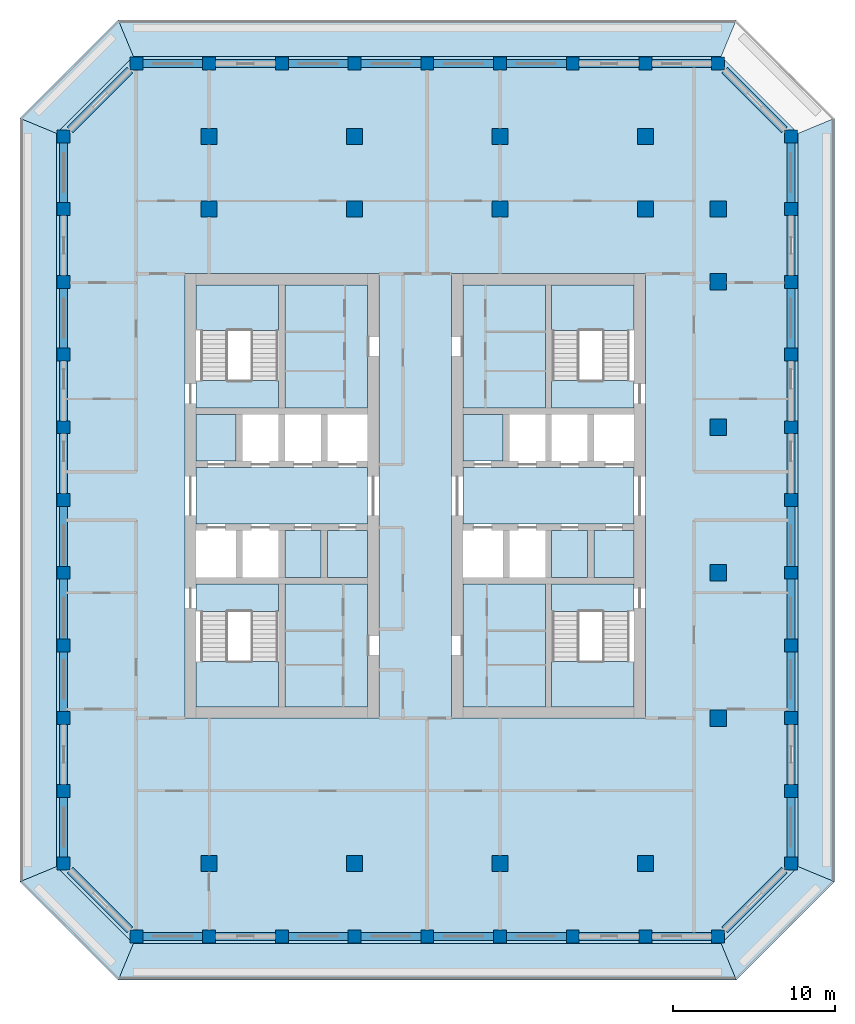
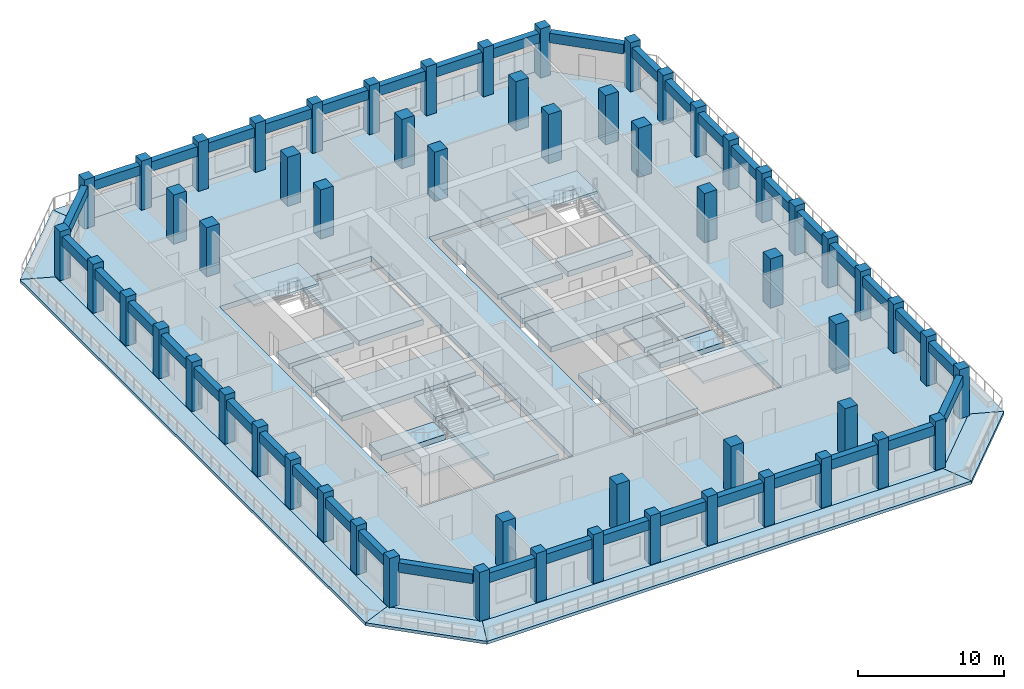
# One storey, part 1 of 17: 57 columns, 40 beams, 28 slabs, 4 elements without a shape of their own.
"""IFC4 building model written with IfcOpenShell, lengths in metres."""

import ifcopenshell
import ifcopenshell.guid

model = None  # the IFC model being written
_history = None  # IfcOwnerHistory: only IFC2X3 demands one
_inside = {}  # id of a spatial element -> (the spatial element, [elements in it])
_under = {}  # id of a project, library or spatial element -> (it, [spatial elements below it])
_declared = {}  # id of a project -> (the project, [libraries it declares])
_typed = {}  # id of a type object -> (the type object, [elements of that type])
_made_of = {}  # id of a material, layer set ... -> (it, [elements and type objects made of it])


def new_model(schema):
    """Start an empty IFC model of exactly this schema.

    Asked for "IFC4X3", IfcOpenShell would pick the latest addendum, in which some entities
    have other attributes; the version numbers below select the first issue.
    IFC2X3 requires an IfcOwnerHistory on every rooted entity: one is made here for all.
    """
    global model, _history
    if schema == "IFC4X3":
        model = ifcopenshell.file(schema_version=(4, 3, 0, 0))
    else:
        model = ifcopenshell.file(schema=schema)
    _inside.clear()
    _under.clear()
    _declared.clear()
    _typed.clear()
    _made_of.clear()
    _history = None
    if model.schema == "IFC2X3":
        org = make("IfcOrganization", Name="unknown")
        user = make(
            "IfcPersonAndOrganization",
            ThePerson=make("IfcPerson", FamilyName="unknown"),
            TheOrganization=org,
        )
        app = make(
            "IfcApplication",
            ApplicationDeveloper=org,
            Version="unknown",
            ApplicationFullName="unknown",
            ApplicationIdentifier="unknown",
        )
        _history = make(
            "IfcOwnerHistory",
            OwningUser=user,
            OwningApplication=app,
            ChangeAction="ADDED",
            CreationDate=0,
        )
    return model


def make(cls, **values):
    """One entity of the class cls with the attributes given. An attribute that is None is left unset."""
    return model.create_entity(
        cls, **{name: value for name, value in values.items() if value is not None}
    )


def rooted(cls, **values):
    """An entity with a GlobalId (a new one), such as an element, a storey or a relation."""
    return make(cls, GlobalId=ifcopenshell.guid.new(), OwnerHistory=_history, **values)


def si_unit(unit_type, name, prefix=None):
    """IfcSIUnit, for example si_unit("LENGTHUNIT", "METRE", prefix="MILLI")."""
    return make("IfcSIUnit", UnitType=unit_type, Prefix=prefix, Name=name)


def assignment(units):
    """IfcUnitAssignment: the units of a project."""
    return None if units is None else make("IfcUnitAssignment", Units=units)


def point(xyz):
    """IfcCartesianPoint."""
    return None if xyz is None else make("IfcCartesianPoint", Coordinates=xyz)


def direction(xyz):
    """IfcDirection."""
    return None if xyz is None else make("IfcDirection", DirectionRatios=xyz)


def frame(location, z_axis=None, x_axis=None):
    """IfcAxis2Placement3D, a coordinate frame: its origin and axes. An axis left out is left unset."""
    return make(
        "IfcAxis2Placement3D",
        Location=point(location),
        Axis=direction(z_axis),
        RefDirection=direction(x_axis),
    )


def frame_2d(location, x_axis=None):
    """IfcAxis2Placement2D, a coordinate frame in the plane: its origin and x axis."""
    return make(
        "IfcAxis2Placement2D", Location=point(location), RefDirection=direction(x_axis)
    )


def origin():
    """The frame at (0, 0, 0) with its axes left unset."""
    return frame((0.0, 0.0, 0.0))


def origin_2d():
    """The frame at (0, 0) in the plane with its x axis left unset."""
    return frame_2d((0.0, 0.0))


def place(relative_to, where):
    """IfcLocalPlacement: puts the frame where relative to a parent placement (None: the world)."""
    return make(
        "IfcLocalPlacement", PlacementRelTo=relative_to, RelativePlacement=where
    )


def context(
    kind, dimensions, precision=None, world=None, true_north=None, identifier=None
):
    """IfcGeometricRepresentationContext, for example the 3D "Model" context."""
    return make(
        "IfcGeometricRepresentationContext",
        ContextIdentifier=identifier,
        ContextType=kind,
        CoordinateSpaceDimension=dimensions,
        Precision=precision,
        WorldCoordinateSystem=world,
        TrueNorth=true_north,
    )


def subcontext(parent, identifier, kind, view, scale=None):
    """IfcGeometricRepresentationSubContext, for example "Body" below "Model"."""
    return make(
        "IfcGeometricRepresentationSubContext",
        ContextIdentifier=identifier,
        ContextType=kind,
        ParentContext=parent,
        TargetScale=scale,
        TargetView=view,
    )


def project(units=None, contexts=None):
    """IfcProject with its units and contexts."""
    return rooted(
        "IfcProject",
        Name="project",
        RepresentationContexts=contexts,
        UnitsInContext=assignment(units),
    )


def spatial(cls, under=None, at=None, **own):
    """A site, building, storey or space (cls), placed at a placement, below another one or the project."""
    s = rooted(cls, ObjectPlacement=at, **own)
    if under is not None:
        _under.setdefault(under.id(), (under, []))[1].append(s)
    return s


def polyline(points):
    """IfcPolyline through the points."""
    return make("IfcPolyline", Points=[point(p) for p in points])


def profile(cls, at=None, kind="AREA", **sizes):
    """A parametric profile (cls). Its sizes go by their IFC names, for example OverallWidth=200.0."""
    return make(cls, ProfileType=kind, Position=at, **sizes)


def rectangle(**sizes):
    """IfcRectangleProfileDef."""
    return profile("IfcRectangleProfileDef", **sizes)


def outline(outer, holes=None, kind="AREA"):
    """IfcArbitraryClosedProfileDef: a profile drawn as a closed curve; with holes, ...WithVoids."""
    if holes is None:
        return make("IfcArbitraryClosedProfileDef", ProfileType=kind, OuterCurve=outer)
    return make(
        "IfcArbitraryProfileDefWithVoids",
        ProfileType=kind,
        OuterCurve=outer,
        InnerCurves=holes,
    )


def extrude(swept, where, along, depth):
    """IfcExtrudedAreaSolid: the profile swept, set in the frame where, extruded along a direction by depth."""
    return make(
        "IfcExtrudedAreaSolid",
        SweptArea=swept,
        Position=where,
        ExtrudedDirection=direction(along),
        Depth=depth,
    )


def shape(context_of_items, identifier, shape_type, items):
    """IfcShapeRepresentation: the items that make up one representation, for example the "Body"."""
    return make(
        "IfcShapeRepresentation",
        ContextOfItems=context_of_items,
        RepresentationIdentifier=identifier,
        RepresentationType=shape_type,
        Items=items,
    )


def material(Name=None, Category=None):
    """IfcMaterial."""
    return make("IfcMaterial", Name=Name, Category=Category)


def layer(
    of_material, thickness, ventilated=None, Name=None, Category=None, Priority=None
):
    """IfcMaterialLayer: one layer of a wall or slab, of a material (None: an air gap)."""
    return make(
        "IfcMaterialLayer",
        Material=of_material,
        LayerThickness=thickness,
        IsVentilated=ventilated,
        Name=Name,
        Category=Category,
        Priority=Priority,
    )


def layer_set(layers, Name=None):
    """IfcMaterialLayerSet."""
    return make("IfcMaterialLayerSet", MaterialLayers=layers, LayerSetName=Name)


def material_profile(
    of_material, cross_section, Name=None, Category=None, Priority=None
):
    """IfcMaterialProfile: a cross section and its material."""
    return make(
        "IfcMaterialProfile",
        Name=Name,
        Material=of_material,
        Profile=cross_section,
        Priority=Priority,
        Category=Category,
    )


def profile_set(profiles, Name=None, composite=None):
    """IfcMaterialProfileSet."""
    return make(
        "IfcMaterialProfileSet",
        Name=Name,
        MaterialProfiles=profiles,
        CompositeProfile=composite,
    )


def made_of(thing, what):
    """Note that an element or type object is made of a material, layer set ...; save() writes the relation."""
    if what is not None:
        _made_of.setdefault(what.id(), (what, []))[1].append(thing)
    return thing


def type_object(cls, material=None, **own):
    """A type object (cls), such as IfcWallType, which elements share."""
    return made_of(rooted(cls, **own), material)


def element(
    cls,
    number,
    at=None,
    inside=None,
    cuts=None,
    type_object=None,
    material=None,
    context=None,
    identifier="Body",
    shape_type=None,
    held_by="IfcProductDefinitionShape",
    body=None,
    shapes=None,
    **own,
):
    """One element of the class cls, such as IfcWall. Its Tag is "e" and its number.

    at: its placement. inside: the storey or other place that contains it. cuts: it is an
    opening in that element (IfcRelVoidsElement). A single representation is given by context,
    identifier, shape_type and body (its items); several are given by shapes. held_by: the class
    of the entity that holds the representations. save() writes the other relations.
    """
    e = rooted(cls, Tag="e%d" % number, ObjectPlacement=at, **own)
    if body is not None:
        shapes = [shape(context, identifier, shape_type, body)]
    if shapes is not None:
        e.Representation = make(held_by, Representations=shapes)
    if inside is not None:
        _inside.setdefault(inside.id(), (inside, []))[1].append(e)
    if cuts is not None:
        rooted(
            "IfcRelVoidsElement", RelatingBuildingElement=cuts, RelatedOpeningElement=e
        )
    if type_object is not None:
        _typed.setdefault(type_object.id(), (type_object, []))[1].append(e)
    return made_of(e, material)


def aggregate(whole, parts):
    """IfcRelAggregates: a whole, such as a stair, and the parts it consists of."""
    return rooted("IfcRelAggregates", RelatingObject=whole, RelatedObjects=parts)


def save(model, path):
    """Write the relations noted so far, then the file.

    IfcRelAggregates (storeys below a building ...), IfcRelContainedInSpatialStructure (elements
    in a storey), IfcRelDefinesByType, IfcRelAssociatesMaterial and IfcRelDeclares: one each for
    every whole, place, type object, material and project.
    """
    for whole, parts in _under.values():
        aggregate(whole, parts)
    for where, things in _inside.values():
        rooted(
            "IfcRelContainedInSpatialStructure",
            RelatedElements=things,
            RelatingStructure=where,
        )
    for kind, things in _typed.values():
        rooted("IfcRelDefinesByType", RelatedObjects=things, RelatingType=kind)
    for what, things in _made_of.values():
        rooted("IfcRelAssociatesMaterial", RelatedObjects=things, RelatingMaterial=what)
    for by, libraries in _declared.values():
        rooted("IfcRelDeclares", RelatingContext=by, RelatedDefinitions=libraries)
    model.write(path)


model = new_model("IFC4")

# Units and contexts
model_context = context("Model", 3, precision=1e-05, world=origin(), true_north=direction((0.0, 1.0)))
body_context = subcontext(model_context, "Body", "Model", "MODEL_VIEW")
ifc_project = project(units=[si_unit("LENGTHUNIT", "METRE"), si_unit("AREAUNIT", "SQUARE_METRE"), si_unit("VOLUMEUNIT", "CUBIC_METRE"), si_unit("PLANEANGLEUNIT", "RADIAN"), si_unit("MASSUNIT", "GRAM", prefix="KILO")], contexts=[model_context])

# Site, building, storey
site_placement = place(None, origin())
site = spatial("IfcSite", under=ifc_project, at=site_placement, CompositionType="ELEMENT")
building_placement = place(site_placement, origin())
building = spatial("IfcBuilding", under=site, at=building_placement, Name="Corbel Stack Research Tower", CompositionType="ELEMENT")
storey_placement = place(building_placement, frame((0.0, 0.0, 252.10009765625)))
storey = spatial("IfcBuildingStorey", under=building, at=storey_placement, Name="L57", CompositionType="ELEMENT", Elevation=252.10009765625)

# Columns
ifc_material_1 = material(Name="Concrete C60/75", Category="concrete")
ifc_material_profile_1 = material_profile(ifc_material_1, rectangle(XDim=1.0, YDim=1.0, at=origin_2d()), Name="RC 1000 x 1000")
ifc_profile_set_1 = profile_set([ifc_material_profile_1], Name="Concrete C60/75")
column_type_1 = type_object("IfcColumnType", Name="C-1000-60", PredefinedType="COLUMN", material=ifc_profile_set_1)
for number, where, z_axis, x_axis, name in (
    (1, (-9.0, -18.0, 0.0), (0.0, 0.0, 1.0), (1.0, 0.0, 0.0), "Column 6/D L57"),
    (2, (-9.0, 22.5, 0.0), (0.0, 0.0, 1.0), (1.0, 0.0, 0.0), "Column 6/N L57"),
    (3, (-9.0, 27.0, 0.0), (0.0, 0.0, 1.0), (1.0, 0.0, 0.0), "Column 6/P L57"),
    (4, (0.0, -18.0, 0.0), (0.0, 0.0, 1.0), (1.0, 0.0, 0.0), "Column 8/D L57"),
    (5, (0.0, 22.5, 0.0), (0.0, 0.0, 1.0), (1.0, 0.0, 0.0), "Column 8/N L57"),
    (6, (0.0, 27.0, 0.0), (0.0, 0.0, 1.0), (1.0, 0.0, 0.0), "Column 8/P L57"),
    (7, (9.0, -18.0, 0.0), (0.0, 0.0, 1.0), (1.0, 0.0, 0.0), "Column 10/D L57"),
    (8, (9.0, 22.5, 0.0), (0.0, 0.0, 1.0), (1.0, 0.0, 0.0), "Column 10/N L57"),
    (9, (9.0, 27.0, 0.0), (0.0, 0.0, 1.0), (1.0, 0.0, 0.0), "Column 10/P L57"),
    (10, (18.0, -18.0, 0.0), (0.0, 0.0, 1.0), (1.0, 0.0, 0.0), "Column 12/D L57"),
    (11, (18.0, 22.5, 0.0), (0.0, 0.0, 1.0), (1.0, 0.0, 0.0), "Column 12/N L57"),
    (12, (18.0, 27.0, 0.0), (0.0, 0.0, 1.0), (1.0, 0.0, 0.0), "Column 12/P L57"),
    (13, (22.5, -9.0, 0.0), (0.0, 0.0, 1.0), (1.0, 0.0, 0.0), "Column 13/F L57"),
    (14, (22.5, 0.0, 0.0), (0.0, 0.0, 1.0), (1.0, 0.0, 0.0), "Column 13/H L57"),
    (15, (22.5, 9.0, 0.0), (0.0, 0.0, 1.0), (1.0, 0.0, 0.0), "Column 13/K L57"),
    (16, (22.5, 18.0, 0.0), (0.0, 0.0, 1.0), (1.0, 0.0, 0.0), "Column 13/M L57"),
    (17, (22.5, 22.5, 0.0), (0.0, 0.0, 1.0), (1.0, 0.0, 0.0), "Column 13/N L57"),
):
    element("IfcColumn", number, at=place(storey_placement, frame(where, z_axis=z_axis, x_axis=x_axis)), inside=storey, type_object=column_type_1, Name=name, PredefinedType="COLUMN", context=body_context, shape_type="SweptSolid", body=[
        extrude(rectangle(XDim=1.0, YDim=1.0, at=origin_2d()), origin(), (0.0, 0.0, 1.0), 4.099853515625),
    ])
ifc_material_2 = material(Name="Concrete C60/75", Category="concrete")
ifc_material_profile_2 = material_profile(ifc_material_2, rectangle(XDim=0.800048828125, YDim=0.800048828125, at=origin_2d()), Name="RC 800 x 800")
ifc_profile_set_2 = profile_set([ifc_material_profile_2], Name="Concrete C60/75")
column_type_2 = type_object("IfcColumnType", Name="C-800-60", PredefinedType="COLUMN", material=ifc_profile_set_2)
for number, where, z_axis, x_axis, name in (
    (18, (-18.0, -18.0, 0.0), (0.0, 0.0, 1.0), (1.0, 0.0, 0.0), "Column 4/D L57"),
    (19, (-18.0, -13.5, 0.0), (0.0, 0.0, 1.0), (1.0, 0.0, 0.0), "Column 4/E L57"),
    (20, (-18.0, -9.0, 0.0), (0.0, 0.0, 1.0), (1.0, 0.0, 0.0), "Column 4/F L57"),
    (21, (-18.0, -4.5, 0.0), (0.0, 0.0, 1.0), (1.0, 0.0, 0.0), "Column 4/G L57"),
    (22, (-18.0, 0.0, 0.0), (0.0, 0.0, 1.0), (1.0, 0.0, 0.0), "Column 4/H L57"),
    (23, (-18.0, 4.5, 0.0), (0.0, 0.0, 1.0), (1.0, 0.0, 0.0), "Column 4/J L57"),
    (24, (-18.0, 9.0, 0.0), (0.0, 0.0, 1.0), (1.0, 0.0, 0.0), "Column 4/K L57"),
    (25, (-18.0, 13.5, 0.0), (0.0, 0.0, 1.0), (1.0, 0.0, 0.0), "Column 4/L L57"),
    (26, (-18.0, 18.0, 0.0), (0.0, 0.0, 1.0), (1.0, 0.0, 0.0), "Column 4/M L57"),
    (27, (-18.0, 22.5, 0.0), (0.0, 0.0, 1.0), (1.0, 0.0, 0.0), "Column 4/N L57"),
    (28, (-18.0, 27.0, 0.0), (0.0, 0.0, 1.0), (1.0, 0.0, 0.0), "Column 4/P L57"),
    (29, (-13.5, -22.5, 0.0), (0.0, 0.0, 1.0), (1.0, 0.0, 0.0), "Column 5/C L57"),
    (30, (-13.5, 31.5, 0.0), (0.0, 0.0, 1.0), (1.0, 0.0, 0.0), "Column 5/Q L57"),
    (31, (-9.0, -22.5, 0.0), (0.0, 0.0, 1.0), (1.0, 0.0, 0.0), "Column 6/C L57"),
    (32, (-9.0, 31.5, 0.0), (0.0, 0.0, 1.0), (1.0, 0.0, 0.0), "Column 6/Q L57"),
    (33, (-4.5, -22.5, 0.0), (0.0, 0.0, 1.0), (1.0, 0.0, 0.0), "Column 7/C L57"),
    (34, (-4.5, 31.5, 0.0), (0.0, 0.0, 1.0), (1.0, 0.0, 0.0), "Column 7/Q L57"),
    (35, (0.0, -22.5, 0.0), (0.0, 0.0, 1.0), (1.0, 0.0, 0.0), "Column 8/C L57"),
    (36, (0.0, 31.5, 0.0), (0.0, 0.0, 1.0), (1.0, 0.0, 0.0), "Column 8/Q L57"),
    (37, (4.5, -22.5, 0.0), (0.0, 0.0, 1.0), (1.0, 0.0, 0.0), "Column 9/C L57"),
    (38, (4.5, 31.5, 0.0), (0.0, 0.0, 1.0), (1.0, 0.0, 0.0), "Column 9/Q L57"),
    (39, (9.0, -22.5, 0.0), (0.0, 0.0, 1.0), (1.0, 0.0, 0.0), "Column 10/C L57"),
    (40, (9.0, 31.5, 0.0), (0.0, 0.0, 1.0), (1.0, 0.0, 0.0), "Column 10/Q L57"),
    (41, (13.5, -22.5, 0.0), (0.0, 0.0, 1.0), (1.0, 0.0, 0.0), "Column 11/C L57"),
    (42, (13.5, 31.5, 0.0), (0.0, 0.0, 1.0), (1.0, 0.0, 0.0), "Column 11/Q L57"),
    (43, (18.0, -22.5, 0.0), (0.0, 0.0, 1.0), (1.0, 0.0, 0.0), "Column 12/C L57"),
    (44, (18.0, 31.5, 0.0), (0.0, 0.0, 1.0), (1.0, 0.0, 0.0), "Column 12/Q L57"),
    (45, (22.5, -22.5, 0.0), (0.0, 0.0, 1.0), (1.0, 0.0, 0.0), "Column 13/C L57"),
    (46, (22.5, 31.5, 0.0), (0.0, 0.0, 1.0), (1.0, 0.0, 0.0), "Column 13/Q L57"),
    (47, (27.0, -18.0, 0.0), (0.0, 0.0, 1.0), (1.0, 0.0, 0.0), "Column 14/D L57"),
    (48, (27.0, -13.5, 0.0), (0.0, 0.0, 1.0), (1.0, 0.0, 0.0), "Column 14/E L57"),
    (49, (27.0, -9.0, 0.0), (0.0, 0.0, 1.0), (1.0, 0.0, 0.0), "Column 14/F L57"),
    (50, (27.0, -4.5, 0.0), (0.0, 0.0, 1.0), (1.0, 0.0, 0.0), "Column 14/G L57"),
    (51, (27.0, 0.0, 0.0), (0.0, 0.0, 1.0), (1.0, 0.0, 0.0), "Column 14/H L57"),
    (52, (27.0, 4.5, 0.0), (0.0, 0.0, 1.0), (1.0, 0.0, 0.0), "Column 14/J L57"),
    (53, (27.0, 9.0, 0.0), (0.0, 0.0, 1.0), (1.0, 0.0, 0.0), "Column 14/K L57"),
    (54, (27.0, 13.5, 0.0), (0.0, 0.0, 1.0), (1.0, 0.0, 0.0), "Column 14/L L57"),
    (55, (27.0, 18.0, 0.0), (0.0, 0.0, 1.0), (1.0, 0.0, 0.0), "Column 14/M L57"),
    (56, (27.0, 22.5, 0.0), (0.0, 0.0, 1.0), (1.0, 0.0, 0.0), "Column 14/N L57"),
    (57, (27.0, 27.0, 0.0), (0.0, 0.0, 1.0), (1.0, 0.0, 0.0), "Column 14/P L57"),
):
    element("IfcColumn", number, at=place(storey_placement, frame(where, z_axis=z_axis, x_axis=x_axis)), inside=storey, type_object=column_type_2, Name=name, PredefinedType="COLUMN", context=body_context, shape_type="SweptSolid", body=[
        extrude(rectangle(XDim=0.800048828125, YDim=0.800048828125, at=origin_2d()), origin(), (0.0, 0.0, 1.0), 4.099853515625),
    ])

# Beams
ifc_material_3 = material(Name="Concrete C60/75", Category="concrete")
ifc_material_profile_3 = material_profile(ifc_material_3, rectangle(XDim=0.5, YDim=0.800048828125, at=origin_2d()), Name="RC 500 x 800")
ifc_profile_set_3 = profile_set([ifc_material_profile_3], Name="Concrete C60/75")
beam_type = type_object("IfcBeamType", Name="SB-500-800-450", PredefinedType="SPANDREL", material=ifc_profile_set_3)
for number, where, z_axis, x_axis, name in (
    (58, (-13.10009765625, -22.5, 3.25), (1.0, 0.0, 0.0), (0.0, 1.0, 0.0), "Spandrel beam L57-01"),
    (59, (-8.60009765625, -22.5, 3.25), (1.0, 0.0, 0.0), (0.0, 1.0, 0.0), "Spandrel beam L57-02"),
    (60, (-4.10009765625, -22.5, 3.25), (1.0, 0.0, 0.0), (0.0, 1.0, 0.0), "Spandrel beam L57-03"),
    (61, (0.39990234375, -22.5, 3.25), (1.0, 0.0, 0.0), (0.0, 1.0, 0.0), "Spandrel beam L57-04"),
    (62, (4.89990234375, -22.5, 3.25), (1.0, 0.0, 0.0), (0.0, 1.0, 0.0), "Spandrel beam L57-05"),
    (63, (9.39990234375, -22.5, 3.25), (1.0, 0.0, 0.0), (0.0, 1.0, 0.0), "Spandrel beam L57-06"),
    (64, (13.89990234375, -22.5, 3.25), (1.0, 0.0, 0.0), (0.0, 1.0, 0.0), "Spandrel beam L57-07"),
    (65, (18.39990234375, -22.5, 3.25), (1.0, 0.0, 0.0), (0.0, 1.0, 0.0), "Spandrel beam L57-08"),
):
    element("IfcBeam", number, at=place(storey_placement, frame(where, z_axis=z_axis, x_axis=x_axis)), inside=storey, type_object=beam_type, Name=name, PredefinedType="SPANDREL", context=body_context, shape_type="SweptSolid", body=[
        extrude(rectangle(XDim=0.5, YDim=0.800048828125, at=origin_2d()), origin(), (0.0, 0.0, 1.0), 3.7001953125),
    ])
beam_1_placement = place(storey_placement, frame((22.89990234375, -22.10009765625, 3.25), z_axis=(0.707106781187, 0.707106781187, 0.0), x_axis=(-0.707106781187, 0.707106781187, 0.0)))
element("IfcBeam", 66, at=beam_1_placement, inside=storey, type_object=beam_type, Name="Spandrel beam L57-09", PredefinedType="SPANDREL", context=body_context, shape_type="SweptSolid", body=[
    extrude(rectangle(XDim=0.5, YDim=0.800048828125, at=origin_2d()), origin(), (0.0, 0.0, 1.0), 5.23291015625),
])
for number, where, z_axis, x_axis, name in (
    (67, (27.0, -17.60009765625, 3.25), (0.0, 1.0, 0.0), (-1.0, 0.0, 0.0), "Spandrel beam L57-10"),
    (68, (27.0, -13.10009765625, 3.25), (0.0, 1.0, 0.0), (-1.0, 0.0, 0.0), "Spandrel beam L57-11"),
    (69, (27.0, -8.60009765625, 3.25), (0.0, 1.0, 0.0), (-1.0, 0.0, 0.0), "Spandrel beam L57-12"),
    (70, (27.0, -4.10009765625, 3.25), (0.0, 1.0, 0.0), (-1.0, 0.0, 0.0), "Spandrel beam L57-13"),
    (71, (27.0, 0.39990234375, 3.25), (0.0, 1.0, 0.0), (-1.0, 0.0, 0.0), "Spandrel beam L57-14"),
    (72, (27.0, 4.89990234375, 3.25), (0.0, 1.0, 0.0), (-1.0, 0.0, 0.0), "Spandrel beam L57-15"),
    (73, (27.0, 9.39990234375, 3.25), (0.0, 1.0, 0.0), (-1.0, 0.0, 0.0), "Spandrel beam L57-16"),
    (74, (27.0, 13.89990234375, 3.25), (0.0, 1.0, 0.0), (-1.0, 0.0, 0.0), "Spandrel beam L57-17"),
    (75, (27.0, 18.39990234375, 3.25), (0.0, 1.0, 0.0), (-1.0, 0.0, 0.0), "Spandrel beam L57-18"),
    (76, (27.0, 22.89990234375, 3.25), (0.0, 1.0, 0.0), (-1.0, 0.0, 0.0), "Spandrel beam L57-19"),
):
    element("IfcBeam", number, at=place(storey_placement, frame(where, z_axis=z_axis, x_axis=x_axis)), inside=storey, type_object=beam_type, Name=name, PredefinedType="SPANDREL", context=body_context, shape_type="SweptSolid", body=[
        extrude(rectangle(XDim=0.5, YDim=0.800048828125, at=origin_2d()), origin(), (0.0, 0.0, 1.0), 3.7001953125),
    ])
beam_2_placement = place(storey_placement, frame((26.60009765625, 27.39990234375, 3.25), z_axis=(-0.707106781187, 0.707106781187, 0.0), x_axis=(-0.707106781187, -0.707106781187, 0.0)))
element("IfcBeam", 77, at=beam_2_placement, inside=storey, type_object=beam_type, Name="Spandrel beam L57-20", PredefinedType="SPANDREL", context=body_context, shape_type="SweptSolid", body=[
    extrude(rectangle(XDim=0.5, YDim=0.800048828125, at=origin_2d()), origin(), (0.0, 0.0, 1.0), 5.23291015625),
])
for number, where, z_axis, x_axis, name in (
    (78, (22.10009765625, 31.5, 3.25), (-1.0, 0.0, 0.0), (0.0, -1.0, 0.0), "Spandrel beam L57-21"),
    (79, (17.60009765625, 31.5, 3.25), (-1.0, 0.0, 0.0), (0.0, -1.0, 0.0), "Spandrel beam L57-22"),
    (80, (13.10009765625, 31.5, 3.25), (-1.0, 0.0, 0.0), (0.0, -1.0, 0.0), "Spandrel beam L57-23"),
    (81, (8.60009765625, 31.5, 3.25), (-1.0, 0.0, 0.0), (0.0, -1.0, 0.0), "Spandrel beam L57-24"),
    (82, (4.10009765625, 31.5, 3.25), (-1.0, 0.0, 0.0), (0.0, -1.0, 0.0), "Spandrel beam L57-25"),
    (83, (-0.39990234375, 31.5, 3.25), (-1.0, 0.0, 0.0), (0.0, -1.0, 0.0), "Spandrel beam L57-26"),
    (84, (-4.89990234375, 31.5, 3.25), (-1.0, 0.0, 0.0), (0.0, -1.0, 0.0), "Spandrel beam L57-27"),
    (85, (-9.39990234375, 31.5, 3.25), (-1.0, 0.0, 0.0), (0.0, -1.0, 0.0), "Spandrel beam L57-28"),
):
    element("IfcBeam", number, at=place(storey_placement, frame(where, z_axis=z_axis, x_axis=x_axis)), inside=storey, type_object=beam_type, Name=name, PredefinedType="SPANDREL", context=body_context, shape_type="SweptSolid", body=[
        extrude(rectangle(XDim=0.5, YDim=0.800048828125, at=origin_2d()), origin(), (0.0, 0.0, 1.0), 3.7001953125),
    ])
beam_3_placement = place(storey_placement, frame((-13.89990234375, 31.10009765625, 3.25), z_axis=(-0.707106781187, -0.707106781187, 0.0), x_axis=(0.707106781187, -0.707106781187, 0.0)))
element("IfcBeam", 86, at=beam_3_placement, inside=storey, type_object=beam_type, Name="Spandrel beam L57-29", PredefinedType="SPANDREL", context=body_context, shape_type="SweptSolid", body=[
    extrude(rectangle(XDim=0.5, YDim=0.800048828125, at=origin_2d()), origin(), (0.0, 0.0, 1.0), 5.23291015625),
])
for number, where, z_axis, x_axis, name in (
    (87, (-18.0, 26.60009765625, 3.25), (0.0, -1.0, 0.0), (1.0, 0.0, 0.0), "Spandrel beam L57-30"),
    (88, (-18.0, 22.10009765625, 3.25), (0.0, -1.0, 0.0), (1.0, 0.0, 0.0), "Spandrel beam L57-31"),
    (89, (-18.0, 17.60009765625, 3.25), (0.0, -1.0, 0.0), (1.0, 0.0, 0.0), "Spandrel beam L57-32"),
    (90, (-18.0, 13.10009765625, 3.25), (0.0, -1.0, 0.0), (1.0, 0.0, 0.0), "Spandrel beam L57-33"),
    (91, (-18.0, 8.60009765625, 3.25), (0.0, -1.0, 0.0), (1.0, 0.0, 0.0), "Spandrel beam L57-34"),
    (92, (-18.0, 4.10009765625, 3.25), (0.0, -1.0, 0.0), (1.0, 0.0, 0.0), "Spandrel beam L57-35"),
    (93, (-18.0, -0.39990234375, 3.25), (0.0, -1.0, 0.0), (1.0, 0.0, 0.0), "Spandrel beam L57-36"),
    (94, (-18.0, -4.89990234375, 3.25), (0.0, -1.0, 0.0), (1.0, 0.0, 0.0), "Spandrel beam L57-37"),
    (95, (-18.0, -9.39990234375, 3.25), (0.0, -1.0, 0.0), (1.0, 0.0, 0.0), "Spandrel beam L57-38"),
    (96, (-18.0, -13.89990234375, 3.25), (0.0, -1.0, 0.0), (1.0, 0.0, 0.0), "Spandrel beam L57-39"),
):
    element("IfcBeam", number, at=place(storey_placement, frame(where, z_axis=z_axis, x_axis=x_axis)), inside=storey, type_object=beam_type, Name=name, PredefinedType="SPANDREL", context=body_context, shape_type="SweptSolid", body=[
        extrude(rectangle(XDim=0.5, YDim=0.800048828125, at=origin_2d()), origin(), (0.0, 0.0, 1.0), 3.7001953125),
    ])
beam_4_placement = place(storey_placement, frame((-17.60009765625, -18.39990234375, 3.25), z_axis=(0.707106781187, -0.707106781187, 0.0), x_axis=(0.707106781187, 0.707106781187, 0.0)))
element("IfcBeam", 97, at=beam_4_placement, inside=storey, type_object=beam_type, Name="Spandrel beam L57-40", PredefinedType="SPANDREL", context=body_context, shape_type="SweptSolid", body=[
    extrude(rectangle(XDim=0.5, YDim=0.800048828125, at=origin_2d()), origin(), (0.0, 0.0, 1.0), 5.23291015625),
])

# Slabs
ifc_material_4 = material(Name="Concrete C45/55", Category="concrete")
ifc_layer_1 = layer(ifc_material_4, 0.25)
ifc_layer_set_1 = layer_set([ifc_layer_1], Name="Concrete C45/55")
slab_type_1 = type_object("IfcSlabType", Name="PT balcony slab 250 C45/55", PredefinedType="FLOOR", material=ifc_layer_set_1)
slab_1_placement = place(storey_placement, frame((0.0, 0.0, -0.25)))
element("IfcSlab", 98, at=slab_1_placement, inside=storey, type_object=slab_type_1, Name="Loggia slab L57 S", PredefinedType="FLOOR", context=body_context, shape_type="SweptSolid", body=[
    extrude(outline(polyline([(22.686279296875, -22.949951171875), (-13.686279296875, -22.949951171875), (-14.618408203125, -25.199951171875), (23.618408203125, -25.199951171875), (22.686279296875, -22.949951171875)])), origin(), (0.0, 0.0, 1.0), 0.25),
])
slab_2_placement = place(storey_placement, frame((0.0, 0.0, -0.25)))
element("IfcSlab", 99, at=slab_2_placement, inside=storey, type_object=slab_type_1, Name="Loggia slab L57 SE", PredefinedType="FLOOR", context=body_context, shape_type="SweptSolid", body=[
    extrude(outline(polyline([(27.449951171875, -18.186279296875), (27.39990234375, -18.236328125), (27.39990234375, -18.39990234375), (27.236328125, -18.39990234375), (22.89990234375, -22.736328125), (22.89990234375, -22.89990234375), (22.736328125, -22.89990234375), (22.686279296875, -22.949951171875), (23.618408203125, -25.199951171875), (29.699951171875, -19.118408203125), (27.449951171875, -18.186279296875)])), origin(), (0.0, 0.0, 1.0), 0.25),
])
slab_3_placement = place(storey_placement, frame((0.0, 0.0, -0.25)))
element("IfcSlab", 100, at=slab_3_placement, inside=storey, type_object=slab_type_1, Name="Loggia slab L57 E", PredefinedType="FLOOR", context=body_context, shape_type="SweptSolid", body=[
    extrude(outline(polyline([(27.449951171875, 27.186279296875), (27.449951171875, -18.186279296875), (29.699951171875, -19.118408203125), (29.699951171875, 28.118408203125), (27.449951171875, 27.186279296875)])), origin(), (0.0, 0.0, 1.0), 0.25),
])
slab_4_placement = place(storey_placement, frame((0.0, 0.0, -0.25)))
element("IfcSlab", 101, at=slab_4_placement, inside=storey, type_object=slab_type_1, Name="Loggia slab L57 N", PredefinedType="FLOOR", context=body_context, shape_type="SweptSolid", body=[
    extrude(outline(polyline([(-13.686279296875, 31.949951171875), (22.686279296875, 31.949951171875), (23.618408203125, 34.199951171875), (-14.618408203125, 34.199951171875), (-13.686279296875, 31.949951171875)])), origin(), (0.0, 0.0, 1.0), 0.25),
])
slab_5_placement = place(storey_placement, frame((0.0, 0.0, -0.25)))
element("IfcSlab", 102, at=slab_5_placement, inside=storey, type_object=slab_type_1, Name="Loggia slab L57 NW", PredefinedType="FLOOR", context=body_context, shape_type="SweptSolid", body=[
    extrude(outline(polyline([(-18.449951171875, 27.186279296875), (-18.39990234375, 27.236328125), (-18.39990234375, 27.39990234375), (-18.236328125, 27.39990234375), (-13.89990234375, 31.736328125), (-13.89990234375, 31.89990234375), (-13.736328125, 31.89990234375), (-13.686279296875, 31.949951171875), (-14.618408203125, 34.199951171875), (-20.699951171875, 28.118408203125), (-18.449951171875, 27.186279296875)])), origin(), (0.0, 0.0, 1.0), 0.25),
])
slab_6_placement = place(storey_placement, frame((0.0, 0.0, -0.25)))
element("IfcSlab", 103, at=slab_6_placement, inside=storey, type_object=slab_type_1, Name="Loggia slab L57 W", PredefinedType="FLOOR", context=body_context, shape_type="SweptSolid", body=[
    extrude(outline(polyline([(-18.449951171875, -18.186279296875), (-18.449951171875, 27.186279296875), (-20.699951171875, 28.118408203125), (-20.699951171875, -19.118408203125), (-18.449951171875, -18.186279296875)])), origin(), (0.0, 0.0, 1.0), 0.25),
])
slab_7_placement = place(storey_placement, frame((0.0, 0.0, -0.25)))
element("IfcSlab", 104, at=slab_7_placement, inside=storey, type_object=slab_type_1, Name="Loggia slab L57 SW", PredefinedType="FLOOR", context=body_context, shape_type="SweptSolid", body=[
    extrude(outline(polyline([(-13.686279296875, -22.949951171875), (-13.736328125, -22.89990234375), (-13.89990234375, -22.89990234375), (-13.89990234375, -22.736328125), (-18.236328125, -18.39990234375), (-18.39990234375, -18.39990234375), (-18.39990234375, -18.236328125), (-18.449951171875, -18.186279296875), (-20.699951171875, -19.118408203125), (-14.618408203125, -25.199951171875), (-13.686279296875, -22.949951171875)])), origin(), (0.0, 0.0, 1.0), 0.25),
])
ifc_material_5 = material(Name="Concrete C45/55", Category="concrete")
ifc_layer_2 = layer(ifc_material_5, 0.449951171875)
ifc_layer_set_2 = layer_set([ifc_layer_2], Name="Concrete C45/55")
slab_type_2 = type_object("IfcSlabType", Name="PT-450", PredefinedType="FLOOR", material=ifc_layer_set_2)
slab_8_placement = place(storey_placement, frame((0.0, 0.0, -0.4501953125)))
element("IfcSlab", 105, at=slab_8_placement, inside=storey, type_object=slab_type_2, Name="Floor slab L57", PredefinedType="FLOOR", context=body_context, shape_type="SweptSolid", body=[
    extrude(outline(polyline([(-13.686279296875, -22.949951171875), (22.686279296875, -22.949951171875), (27.449951171875, -18.186279296875), (27.449951171875, 27.186279296875), (22.686279296875, 31.949951171875), (-13.686279296875, 31.949951171875), (-18.449951171875, 27.186279296875), (-18.449951171875, -18.186279296875), (-13.686279296875, -22.949951171875)]), holes=[polyline([(22.0, 22.0), (22.0, 23.0), (23.0, 23.0), (23.0, 22.0), (22.0, 22.0)]), polyline([(23.0, 17.5), (22.0, 17.5), (22.0, 18.5), (23.0, 18.5), (23.0, 17.5)]), polyline([(23.0, 8.5), (22.0, 8.5), (22.0, 9.5), (23.0, 9.5), (23.0, 8.5)]), polyline([(22.0, -0.5), (22.0, 0.5), (23.0, 0.5), (23.0, -0.5), (22.0, -0.5)]), polyline([(23.0, -9.5), (22.0, -9.5), (22.0, -8.5), (23.0, -8.5), (23.0, -9.5)]), polyline([(17.5, 26.5), (17.5, 27.5), (18.5, 27.5), (18.5, 26.5), (17.5, 26.5)]), polyline([(18.5, 22.0), (17.5, 22.0), (17.5, 23.0), (18.5, 23.0), (18.5, 22.0)]), polyline([(18.5, -18.5), (17.5, -18.5), (17.5, -17.5), (18.5, -17.5), (18.5, -18.5)]), polyline([(6.0, -9.0), (6.0, 18.5), (18.0, 18.5), (18.0, -9.0), (6.0, -9.0)]), polyline([(9.5, 26.5), (8.5, 26.5), (8.5, 27.5), (9.5, 27.5), (9.5, 26.5)]), polyline([(9.5, 22.0), (8.5, 22.0), (8.5, 23.0), (9.5, 23.0), (9.5, 22.0)]), polyline([(9.5, -18.5), (8.5, -18.5), (8.5, -17.5), (9.5, -17.5), (9.5, -18.5)]), polyline([(1.5, -9.0), (-10.5, -9.0), (-10.5, 18.5), (1.5, 18.5), (1.5, -9.0)]), polyline([(-0.5, 26.5), (-0.5, 27.5), (0.5, 27.5), (0.5, 26.5), (-0.5, 26.5)]), polyline([(0.5, 22.0), (-0.5, 22.0), (-0.5, 23.0), (0.5, 23.0), (0.5, 22.0)]), polyline([(0.5, -18.5), (-0.5, -18.5), (-0.5, -17.5), (0.5, -17.5), (0.5, -18.5)]), polyline([(-9.5, 26.5), (-9.5, 27.5), (-8.5, 27.5), (-8.5, 26.5), (-9.5, 26.5)]), polyline([(-8.5, 22.0), (-9.5, 22.0), (-9.5, 23.0), (-8.5, 23.0), (-8.5, 22.0)]), polyline([(-8.5, -18.5), (-9.5, -18.5), (-9.5, -17.5), (-8.5, -17.5), (-8.5, -18.5)])]), origin(), (0.0, 0.0, 1.0), 0.4501953125),
])
slab_9_placement = place(storey_placement, frame((0.0, 0.0, -0.4501953125)))
element("IfcSlab", 106, at=slab_9_placement, inside=storey, type_object=slab_type_2, Name="West core floor L57", PredefinedType="FLOOR", context=body_context, shape_type="SweptSolid", body=[
    extrude(outline(polyline([(-9.800048828125, 6.5), (-9.800048828125, 3.0), (0.800048828125, 3.0), (0.800048828125, 6.5), (-9.800048828125, 6.5)])), origin(), (0.0, 0.0, 1.0), 0.4501953125),
])
slab_10_placement = place(storey_placement, frame((0.0, 0.0, -0.4501953125)))
element("IfcSlab", 107, at=slab_10_placement, inside=storey, type_object=slab_type_2, Name="West core floor L57", PredefinedType="FLOOR", context=body_context, shape_type="SweptSolid", body=[
    extrude(outline(polyline([(-9.800048828125, 6.89990234375), (-7.324951171875, 6.89990234375), (-7.324951171875, 9.800048828125), (-9.800048828125, 9.800048828125), (-9.800048828125, 6.89990234375)])), origin(), (0.0, 0.0, 1.0), 0.4501953125),
])
slab_11_placement = place(storey_placement, frame((0.0, 0.0, -0.4501953125)))
element("IfcSlab", 108, at=slab_11_placement, inside=storey, type_object=slab_type_2, Name="West core floor L57", PredefinedType="FLOOR", context=body_context, shape_type="SweptSolid", body=[
    extrude(outline(polyline([(-4.300048828125, -0.699951171875), (-4.300048828125, -8.300048828125), (0.800048828125, -8.300048828125), (0.800048828125, -0.699951171875), (-4.300048828125, -0.699951171875)])), origin(), (0.0, 0.0, 1.0), 0.4501953125),
])
slab_12_placement = place(storey_placement, frame((0.0, 0.0, -0.4501953125)))
element("IfcSlab", 109, at=slab_12_placement, inside=storey, type_object=slab_type_2, Name="West core floor L57", PredefinedType="FLOOR", context=body_context, shape_type="SweptSolid", body=[
    extrude(outline(polyline([(-4.300048828125, 2.60009765625), (-4.300048828125, -0.300048828125), (-2.074951171875, -0.300048828125), (-2.074951171875, 2.60009765625), (-4.300048828125, 2.60009765625)])), origin(), (0.0, 0.0, 1.0), 0.4501953125),
])
slab_13_placement = place(storey_placement, frame((0.0, 0.0, -0.4501953125)))
element("IfcSlab", 110, at=slab_13_placement, inside=storey, type_object=slab_type_2, Name="West core floor L57", PredefinedType="FLOOR", context=body_context, shape_type="SweptSolid", body=[
    extrude(outline(polyline([(-4.300048828125, 17.800048828125), (-4.300048828125, 10.199951171875), (0.800048828125, 10.199951171875), (0.800048828125, 17.800048828125), (-4.300048828125, 17.800048828125)])), origin(), (0.0, 0.0, 1.0), 0.4501953125),
])
slab_14_placement = place(storey_placement, frame((0.0, 0.0, -0.4501953125)))
element("IfcSlab", 111, at=slab_14_placement, inside=storey, type_object=slab_type_2, Name="West core floor L57", PredefinedType="FLOOR", context=body_context, shape_type="SweptSolid", body=[
    extrude(outline(polyline([(-1.675048828125, 2.60009765625), (-1.675048828125, -0.300048828125), (0.800048828125, -0.300048828125), (0.800048828125, 2.60009765625), (-1.675048828125, 2.60009765625)])), origin(), (0.0, 0.0, 1.0), 0.4501953125),
])
slab_15_placement = place(storey_placement, frame((0.0, 0.0, -0.4501953125)))
element("IfcSlab", 112, at=slab_15_placement, inside=storey, type_object=slab_type_2, Name="East core floor L57", PredefinedType="FLOOR", context=body_context, shape_type="SweptSolid", body=[
    extrude(outline(polyline([(6.699951171875, -8.300048828125), (11.800048828125, -8.300048828125), (11.800048828125, -0.699951171875), (6.699951171875, -0.699951171875), (6.699951171875, -8.300048828125)])), origin(), (0.0, 0.0, 1.0), 0.4501953125),
])
slab_16_placement = place(storey_placement, frame((0.0, 0.0, -0.4501953125)))
element("IfcSlab", 113, at=slab_16_placement, inside=storey, type_object=slab_type_2, Name="East core floor L57", PredefinedType="FLOOR", context=body_context, shape_type="SweptSolid", body=[
    extrude(outline(polyline([(6.699951171875, 3.0), (17.300048828125, 3.0), (17.300048828125, 6.5), (6.699951171875, 6.5), (6.699951171875, 3.0)])), origin(), (0.0, 0.0, 1.0), 0.4501953125),
])
slab_17_placement = place(storey_placement, frame((0.0, 0.0, -0.4501953125)))
element("IfcSlab", 114, at=slab_17_placement, inside=storey, type_object=slab_type_2, Name="East core floor L57", PredefinedType="FLOOR", context=body_context, shape_type="SweptSolid", body=[
    extrude(outline(polyline([(6.699951171875, 6.89990234375), (9.175048828125, 6.89990234375), (9.175048828125, 9.800048828125), (6.699951171875, 9.800048828125), (6.699951171875, 6.89990234375)])), origin(), (0.0, 0.0, 1.0), 0.4501953125),
])
slab_18_placement = place(storey_placement, frame((0.0, 0.0, -0.4501953125)))
element("IfcSlab", 115, at=slab_18_placement, inside=storey, type_object=slab_type_2, Name="East core floor L57", PredefinedType="FLOOR", context=body_context, shape_type="SweptSolid", body=[
    extrude(outline(polyline([(6.699951171875, 10.199951171875), (11.800048828125, 10.199951171875), (11.800048828125, 17.800048828125), (6.699951171875, 17.800048828125), (6.699951171875, 10.199951171875)])), origin(), (0.0, 0.0, 1.0), 0.4501953125),
])
slab_19_placement = place(storey_placement, frame((0.0, 0.0, -0.4501953125)))
element("IfcSlab", 116, at=slab_19_placement, inside=storey, type_object=slab_type_2, Name="East core floor L57", PredefinedType="FLOOR", context=body_context, shape_type="SweptSolid", body=[
    extrude(outline(polyline([(12.199951171875, 2.60009765625), (12.199951171875, -0.300048828125), (14.425048828125, -0.300048828125), (14.425048828125, 2.60009765625), (12.199951171875, 2.60009765625)])), origin(), (0.0, 0.0, 1.0), 0.4501953125),
])
slab_20_placement = place(storey_placement, frame((0.0, 0.0, -0.4501953125)))
element("IfcSlab", 117, at=slab_20_placement, inside=storey, type_object=slab_type_2, Name="East core floor L57", PredefinedType="FLOOR", context=body_context, shape_type="SweptSolid", body=[
    extrude(outline(polyline([(14.824951171875, 2.60009765625), (14.824951171875, -0.300048828125), (17.300048828125, -0.300048828125), (17.300048828125, 2.60009765625), (14.824951171875, 2.60009765625)])), origin(), (0.0, 0.0, 1.0), 0.4501953125),
])
slab_21_placement = place(storey_placement, frame((0.0, 0.0, -0.4501953125)))
element("IfcSlab", 118, at=slab_21_placement, inside=storey, type_object=slab_type_2, Name="Stair floor landing ST-W1", PredefinedType="FLOOR", context=body_context, shape_type="SweptSolid", body=[
    extrude(outline(polyline([(-9.800048828125, -2.39990234375), (-4.699951171875, -2.39990234375), (-4.699951171875, -0.699951171875), (-9.800048828125, -0.699951171875), (-9.800048828125, -2.39990234375)])), origin(), (0.0, 0.0, 1.0), 0.4501953125),
])
slab_22_placement = place(storey_placement, frame((0.0, 0.0, -0.4501953125)))
element("IfcSlab", 119, at=slab_22_placement, inside=storey, type_object=slab_type_2, Name="Stair floor landing ST-W2", PredefinedType="FLOOR", context=body_context, shape_type="SweptSolid", body=[
    extrude(outline(polyline([(-9.800048828125, 10.199951171875), (-4.699951171875, 10.199951171875), (-4.699951171875, 11.89990234375), (-9.800048828125, 11.89990234375), (-9.800048828125, 10.199951171875)])), origin(), (0.0, 0.0, 1.0), 0.4501953125),
])
slab_23_placement = place(storey_placement, frame((0.0, 0.0, -0.4501953125)))
element("IfcSlab", 120, at=slab_23_placement, inside=storey, type_object=slab_type_2, Name="Stair floor landing ST-E1", PredefinedType="FLOOR", context=body_context, shape_type="SweptSolid", body=[
    extrude(outline(polyline([(12.199951171875, -2.39990234375), (17.300048828125, -2.39990234375), (17.300048828125, -0.699951171875), (12.199951171875, -0.699951171875), (12.199951171875, -2.39990234375)])), origin(), (0.0, 0.0, 1.0), 0.4501953125),
])
slab_24_placement = place(storey_placement, frame((0.0, 0.0, -0.4501953125)))
element("IfcSlab", 121, at=slab_24_placement, inside=storey, type_object=slab_type_2, Name="Stair floor landing ST-E2", PredefinedType="FLOOR", context=body_context, shape_type="SweptSolid", body=[
    extrude(outline(polyline([(12.199951171875, 10.199951171875), (17.300048828125, 10.199951171875), (17.300048828125, 11.89990234375), (12.199951171875, 11.89990234375), (12.199951171875, 10.199951171875)])), origin(), (0.0, 0.0, 1.0), 0.4501953125),
])

# Stair, slab
ifc_material_6 = material(Name="Concrete C40/50", Category="concrete")
stair_type = type_object("IfcStairType", Name="Exit stair 24 risers", PredefinedType="HALF_TURN_STAIR", material=ifc_material_6)
stair_1_placement = place(storey_placement, origin())
stair_1 = element("IfcStair", 122, at=stair_1_placement, inside=storey, type_object=stair_type, Name="L57 Exit stair ST-W1", PredefinedType="HALF_TURN_STAIR")
ifc_material_7 = material(Name="Concrete C40/50", Category="concrete")
ifc_layer_3 = layer(ifc_material_7, 0.199951171875)
ifc_layer_set_3 = layer_set([ifc_layer_3], Name="Concrete C40/50")
slab_type_3 = type_object("IfcSlabType", Name="Stair landing 200 C40/50", PredefinedType="LANDING", material=ifc_layer_set_3)
slab_25_placement = place(storey_placement, frame((0.0, 0.0, 1.849853515625)))
slab_25 = element("IfcSlab", 123, at=slab_25_placement, type_object=slab_type_3, Name="ST-W1 landing 1", PredefinedType="LANDING", context=body_context, shape_type="SweptSolid", body=[
    extrude(outline(polyline([(-9.800048828125, -8.300048828125), (-9.800048828125, -5.47998046875), (-4.699951171875, -5.47998046875), (-4.699951171875, -8.300048828125), (-9.800048828125, -8.300048828125)])), origin(), (0.0, 0.0, 1.0), 0.199951171875),
])
aggregate(stair_1, [slab_25])

stair_2_placement = place(storey_placement, origin())
stair_2 = element("IfcStair", 124, at=stair_2_placement, inside=storey, type_object=stair_type, Name="L57 Exit stair ST-W2", PredefinedType="HALF_TURN_STAIR")
slab_26_placement = place(storey_placement, frame((0.0, 0.0, 1.849853515625)))
slab_26 = element("IfcSlab", 125, at=slab_26_placement, type_object=slab_type_3, Name="ST-W2 landing 1", PredefinedType="LANDING", context=body_context, shape_type="SweptSolid", body=[
    extrude(outline(polyline([(-9.800048828125, 14.97998046875), (-9.800048828125, 17.800048828125), (-4.699951171875, 17.800048828125), (-4.699951171875, 14.97998046875), (-9.800048828125, 14.97998046875)])), origin(), (0.0, 0.0, 1.0), 0.199951171875),
])
aggregate(stair_2, [slab_26])

stair_3_placement = place(storey_placement, origin())
stair_3 = element("IfcStair", 126, at=stair_3_placement, inside=storey, type_object=stair_type, Name="L57 Exit stair ST-E1", PredefinedType="HALF_TURN_STAIR")
slab_27_placement = place(storey_placement, frame((0.0, 0.0, 1.849853515625)))
slab_27 = element("IfcSlab", 127, at=slab_27_placement, type_object=slab_type_3, Name="ST-E1 landing 1", PredefinedType="LANDING", context=body_context, shape_type="SweptSolid", body=[
    extrude(outline(polyline([(12.199951171875, -8.300048828125), (12.199951171875, -5.47998046875), (17.300048828125, -5.47998046875), (17.300048828125, -8.300048828125), (12.199951171875, -8.300048828125)])), origin(), (0.0, 0.0, 1.0), 0.199951171875),
])
aggregate(stair_3, [slab_27])

stair_4_placement = place(storey_placement, origin())
stair_4 = element("IfcStair", 128, at=stair_4_placement, inside=storey, type_object=stair_type, Name="L57 Exit stair ST-E2", PredefinedType="HALF_TURN_STAIR")
slab_28_placement = place(storey_placement, frame((0.0, 0.0, 1.849853515625)))
slab_28 = element("IfcSlab", 129, at=slab_28_placement, type_object=slab_type_3, Name="ST-E2 landing 1", PredefinedType="LANDING", context=body_context, shape_type="SweptSolid", body=[
    extrude(outline(polyline([(12.199951171875, 14.97998046875), (12.199951171875, 17.800048828125), (17.300048828125, 17.800048828125), (17.300048828125, 14.97998046875), (12.199951171875, 14.97998046875)])), origin(), (0.0, 0.0, 1.0), 0.199951171875),
])
aggregate(stair_4, [slab_28])

save(model, "model.ifc")
